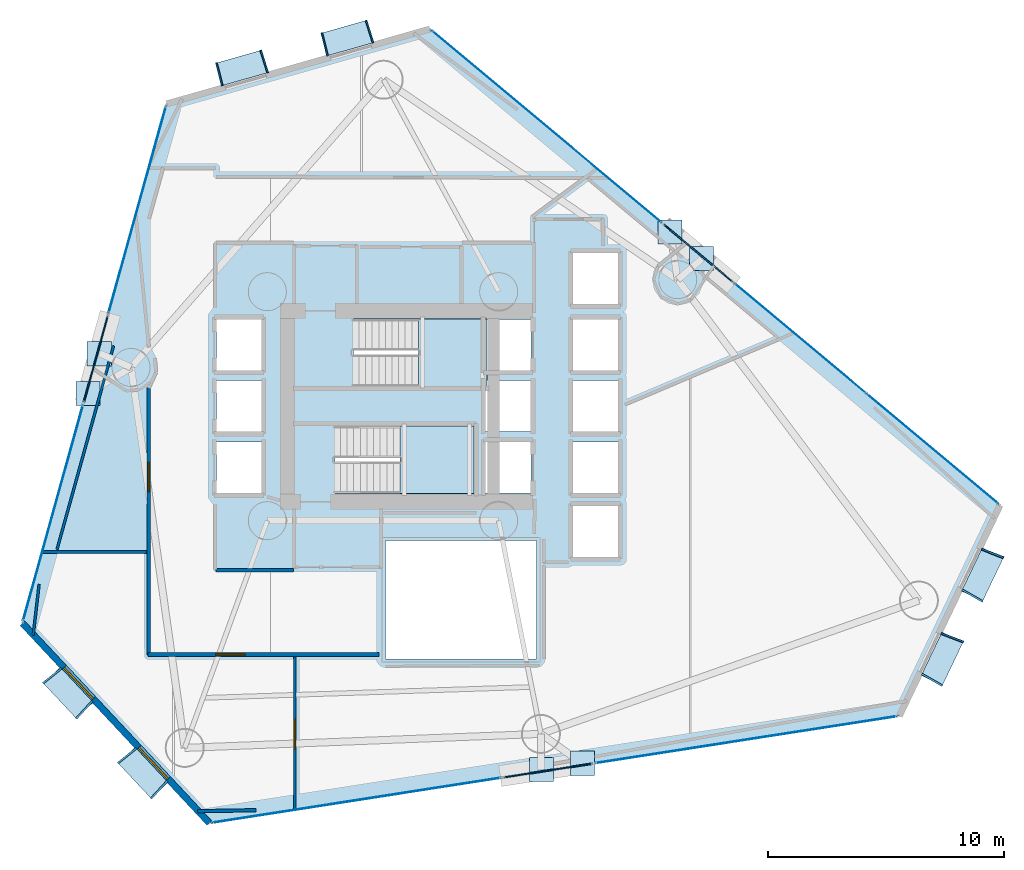
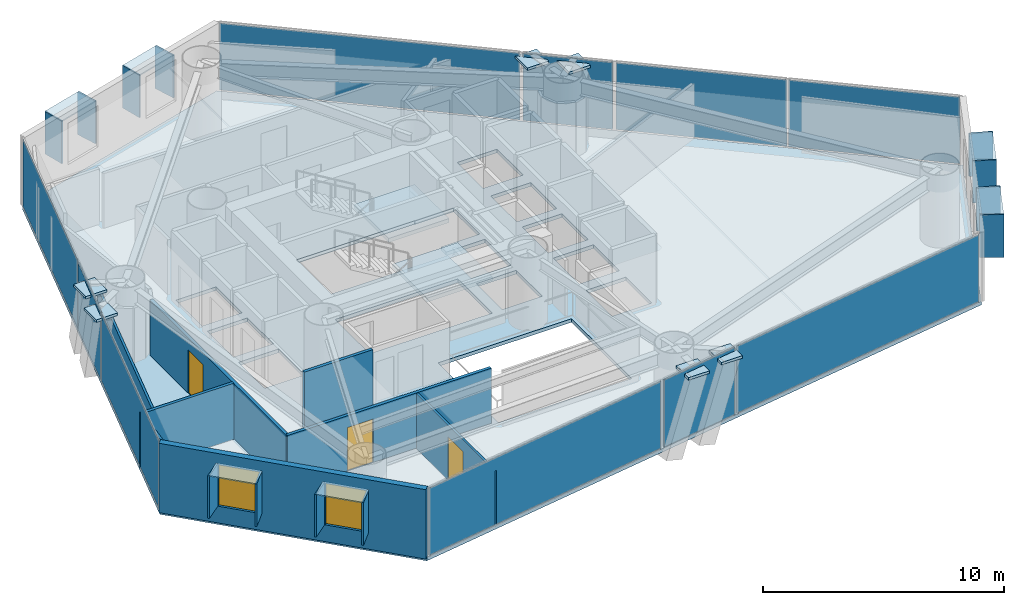
# One storey, part 16 of 23: 34 plates, 9 walls, 3 doors, 3 slabs, 2 windows, 5 openings, 11 elements without a shape of their own.
"""IFC4 building model written with IfcOpenShell, lengths in metres."""

import ifcopenshell
import ifcopenshell.guid

model = None  # the IFC model being written
_history = None  # IfcOwnerHistory: only IFC2X3 demands one
_inside = {}  # id of a spatial element -> (the spatial element, [elements in it])
_under = {}  # id of a project, library or spatial element -> (it, [spatial elements below it])
_declared = {}  # id of a project -> (the project, [libraries it declares])
_typed = {}  # id of a type object -> (the type object, [elements of that type])
_made_of = {}  # id of a material, layer set ... -> (it, [elements and type objects made of it])


def new_model(schema):
    """Start an empty IFC model of exactly this schema.

    Asked for "IFC4X3", IfcOpenShell would pick the latest addendum, in which some entities
    have other attributes; the version numbers below select the first issue.
    IFC2X3 requires an IfcOwnerHistory on every rooted entity: one is made here for all.
    """
    global model, _history
    if schema == "IFC4X3":
        model = ifcopenshell.file(schema_version=(4, 3, 0, 0))
    else:
        model = ifcopenshell.file(schema=schema)
    _inside.clear()
    _under.clear()
    _declared.clear()
    _typed.clear()
    _made_of.clear()
    _history = None
    if model.schema == "IFC2X3":
        org = make("IfcOrganization", Name="unknown")
        user = make(
            "IfcPersonAndOrganization",
            ThePerson=make("IfcPerson", FamilyName="unknown"),
            TheOrganization=org,
        )
        app = make(
            "IfcApplication",
            ApplicationDeveloper=org,
            Version="unknown",
            ApplicationFullName="unknown",
            ApplicationIdentifier="unknown",
        )
        _history = make(
            "IfcOwnerHistory",
            OwningUser=user,
            OwningApplication=app,
            ChangeAction="ADDED",
            CreationDate=0,
        )
    return model


def make(cls, **values):
    """One entity of the class cls with the attributes given. An attribute that is None is left unset."""
    return model.create_entity(
        cls, **{name: value for name, value in values.items() if value is not None}
    )


def rooted(cls, **values):
    """An entity with a GlobalId (a new one), such as an element, a storey or a relation."""
    return make(cls, GlobalId=ifcopenshell.guid.new(), OwnerHistory=_history, **values)


def si_unit(unit_type, name, prefix=None):
    """IfcSIUnit, for example si_unit("LENGTHUNIT", "METRE", prefix="MILLI")."""
    return make("IfcSIUnit", UnitType=unit_type, Prefix=prefix, Name=name)


def assignment(units):
    """IfcUnitAssignment: the units of a project."""
    return None if units is None else make("IfcUnitAssignment", Units=units)


def point(xyz):
    """IfcCartesianPoint."""
    return None if xyz is None else make("IfcCartesianPoint", Coordinates=xyz)


def direction(xyz):
    """IfcDirection."""
    return None if xyz is None else make("IfcDirection", DirectionRatios=xyz)


def frame(location, z_axis=None, x_axis=None):
    """IfcAxis2Placement3D, a coordinate frame: its origin and axes. An axis left out is left unset."""
    return make(
        "IfcAxis2Placement3D",
        Location=point(location),
        Axis=direction(z_axis),
        RefDirection=direction(x_axis),
    )


def frame_2d(location, x_axis=None):
    """IfcAxis2Placement2D, a coordinate frame in the plane: its origin and x axis."""
    return make(
        "IfcAxis2Placement2D", Location=point(location), RefDirection=direction(x_axis)
    )


def origin():
    """The frame at (0, 0, 0) with its axes left unset."""
    return frame((0.0, 0.0, 0.0))


def origin_2d():
    """The frame at (0, 0) in the plane with its x axis left unset."""
    return frame_2d((0.0, 0.0))


def place(relative_to, where):
    """IfcLocalPlacement: puts the frame where relative to a parent placement (None: the world)."""
    return make(
        "IfcLocalPlacement", PlacementRelTo=relative_to, RelativePlacement=where
    )


def context(
    kind, dimensions, precision=None, world=None, true_north=None, identifier=None
):
    """IfcGeometricRepresentationContext, for example the 3D "Model" context."""
    return make(
        "IfcGeometricRepresentationContext",
        ContextIdentifier=identifier,
        ContextType=kind,
        CoordinateSpaceDimension=dimensions,
        Precision=precision,
        WorldCoordinateSystem=world,
        TrueNorth=true_north,
    )


def subcontext(parent, identifier, kind, view, scale=None):
    """IfcGeometricRepresentationSubContext, for example "Body" below "Model"."""
    return make(
        "IfcGeometricRepresentationSubContext",
        ContextIdentifier=identifier,
        ContextType=kind,
        ParentContext=parent,
        TargetScale=scale,
        TargetView=view,
    )


def project(units=None, contexts=None):
    """IfcProject with its units and contexts."""
    return rooted(
        "IfcProject",
        Name="project",
        RepresentationContexts=contexts,
        UnitsInContext=assignment(units),
    )


def spatial(cls, under=None, at=None, **own):
    """A site, building, storey or space (cls), placed at a placement, below another one or the project."""
    s = rooted(cls, ObjectPlacement=at, **own)
    if under is not None:
        _under.setdefault(under.id(), (under, []))[1].append(s)
    return s


def polyline(points):
    """IfcPolyline through the points."""
    return make("IfcPolyline", Points=[point(p) for p in points])


def profile(cls, at=None, kind="AREA", **sizes):
    """A parametric profile (cls). Its sizes go by their IFC names, for example OverallWidth=200.0."""
    return make(cls, ProfileType=kind, Position=at, **sizes)


def rectangle(**sizes):
    """IfcRectangleProfileDef."""
    return profile("IfcRectangleProfileDef", **sizes)


def outline(outer, holes=None, kind="AREA"):
    """IfcArbitraryClosedProfileDef: a profile drawn as a closed curve; with holes, ...WithVoids."""
    if holes is None:
        return make("IfcArbitraryClosedProfileDef", ProfileType=kind, OuterCurve=outer)
    return make(
        "IfcArbitraryProfileDefWithVoids",
        ProfileType=kind,
        OuterCurve=outer,
        InnerCurves=holes,
    )


def extrude(swept, where, along, depth):
    """IfcExtrudedAreaSolid: the profile swept, set in the frame where, extruded along a direction by depth."""
    return make(
        "IfcExtrudedAreaSolid",
        SweptArea=swept,
        Position=where,
        ExtrudedDirection=direction(along),
        Depth=depth,
    )


def shape(context_of_items, identifier, shape_type, items):
    """IfcShapeRepresentation: the items that make up one representation, for example the "Body"."""
    return make(
        "IfcShapeRepresentation",
        ContextOfItems=context_of_items,
        RepresentationIdentifier=identifier,
        RepresentationType=shape_type,
        Items=items,
    )


def material(Name=None, Category=None):
    """IfcMaterial."""
    return make("IfcMaterial", Name=Name, Category=Category)


def layer(
    of_material, thickness, ventilated=None, Name=None, Category=None, Priority=None
):
    """IfcMaterialLayer: one layer of a wall or slab, of a material (None: an air gap)."""
    return make(
        "IfcMaterialLayer",
        Material=of_material,
        LayerThickness=thickness,
        IsVentilated=ventilated,
        Name=Name,
        Category=Category,
        Priority=Priority,
    )


def layer_set(layers, Name=None):
    """IfcMaterialLayerSet."""
    return make("IfcMaterialLayerSet", MaterialLayers=layers, LayerSetName=Name)


def made_of(thing, what):
    """Note that an element or type object is made of a material, layer set ...; save() writes the relation."""
    if what is not None:
        _made_of.setdefault(what.id(), (what, []))[1].append(thing)
    return thing


def type_object(cls, material=None, **own):
    """A type object (cls), such as IfcWallType, which elements share."""
    return made_of(rooted(cls, **own), material)


def element(
    cls,
    number,
    at=None,
    inside=None,
    cuts=None,
    type_object=None,
    material=None,
    context=None,
    identifier="Body",
    shape_type=None,
    held_by="IfcProductDefinitionShape",
    body=None,
    shapes=None,
    **own,
):
    """One element of the class cls, such as IfcWall. Its Tag is "e" and its number.

    at: its placement. inside: the storey or other place that contains it. cuts: it is an
    opening in that element (IfcRelVoidsElement). A single representation is given by context,
    identifier, shape_type and body (its items); several are given by shapes. held_by: the class
    of the entity that holds the representations. save() writes the other relations.
    """
    e = rooted(cls, Tag="e%d" % number, ObjectPlacement=at, **own)
    if body is not None:
        shapes = [shape(context, identifier, shape_type, body)]
    if shapes is not None:
        e.Representation = make(held_by, Representations=shapes)
    if inside is not None:
        _inside.setdefault(inside.id(), (inside, []))[1].append(e)
    if cuts is not None:
        rooted(
            "IfcRelVoidsElement", RelatingBuildingElement=cuts, RelatedOpeningElement=e
        )
    if type_object is not None:
        _typed.setdefault(type_object.id(), (type_object, []))[1].append(e)
    return made_of(e, material)


def fill(opening, filler):
    """IfcRelFillsElement: the door or window that sits in an opening."""
    return rooted(
        "IfcRelFillsElement",
        RelatingOpeningElement=opening,
        RelatedBuildingElement=filler,
    )


def aggregate(whole, parts):
    """IfcRelAggregates: a whole, such as a stair, and the parts it consists of."""
    return rooted("IfcRelAggregates", RelatingObject=whole, RelatedObjects=parts)


def save(model, path):
    """Write the relations noted so far, then the file.

    IfcRelAggregates (storeys below a building ...), IfcRelContainedInSpatialStructure (elements
    in a storey), IfcRelDefinesByType, IfcRelAssociatesMaterial and IfcRelDeclares: one each for
    every whole, place, type object, material and project.
    """
    for whole, parts in _under.values():
        aggregate(whole, parts)
    for where, things in _inside.values():
        rooted(
            "IfcRelContainedInSpatialStructure",
            RelatedElements=things,
            RelatingStructure=where,
        )
    for kind, things in _typed.values():
        rooted("IfcRelDefinesByType", RelatedObjects=things, RelatingType=kind)
    for what, things in _made_of.values():
        rooted("IfcRelAssociatesMaterial", RelatedObjects=things, RelatingMaterial=what)
    for by, libraries in _declared.values():
        rooted("IfcRelDeclares", RelatingContext=by, RelatedDefinitions=libraries)
    model.write(path)


model = new_model("IFC4")

# Units and contexts
model_context = context("Model", 3, precision=1e-05, world=origin(), true_north=direction((0.0, 1.0)))
body_context = subcontext(model_context, "Body", "Model", "MODEL_VIEW")
ifc_project = project(units=[si_unit("LENGTHUNIT", "METRE"), si_unit("AREAUNIT", "SQUARE_METRE"), si_unit("VOLUMEUNIT", "CUBIC_METRE"), si_unit("PLANEANGLEUNIT", "RADIAN"), si_unit("MASSUNIT", "GRAM", prefix="KILO")], contexts=[model_context])

# Site, building, storey
site_placement = place(None, origin())
site = spatial("IfcSite", under=ifc_project, at=site_placement, CompositionType="ELEMENT")
building_placement = place(site_placement, origin())
building = spatial("IfcBuilding", under=site, at=building_placement, Name="Qianvela Tower", CompositionType="ELEMENT")
storey_placement = place(building_placement, frame((0.0, 0.0, 78.39990234375)))
storey = spatial("IfcBuildingStorey", under=building, at=storey_placement, Name="L19", CompositionType="ELEMENT", Elevation=78.39990234375)

# Curtain wall, plate
ifc_material_1 = material(Name="Anodised Architectural Aluminium and Insulated Spandrel Panel", Category="aluminium")
ifc_layer_1 = layer(ifc_material_1, 0.179931640625)
ifc_layer_set_1 = layer_set([ifc_layer_1], Name="Anodised Architectural Aluminium and Insulated Spandrel Panel")
curtain_wall_type_1 = type_object("IfcCurtainWallType", Name="CW-BRACEBAY", PredefinedType="USERDEFINED", material=ifc_layer_set_1)
curtain_wall_1_placement = place(storey_placement, origin())
curtain_wall_1 = element("IfcCurtainWall", 1, at=curtain_wall_1_placement, inside=storey, type_object=curtain_wall_type_1, Name="L19 CW-BRACEBAY Curtain Wall 02B", ObjectType="CURTAIN_WALL_SYSTEM", PredefinedType="USERDEFINED")
ifc_material_2 = material(Name="Insulated Aluminium Spandrel Panel with Mineral-Wool Backpan", Category="aluminium")
ifc_layer_2 = layer(ifc_material_2, 0.06005859375)
ifc_layer_set_2 = layer_set([ifc_layer_2], Name="Insulated Aluminium Spandrel Panel with Mineral-Wool Backpan")
plate_type_1 = type_object("IfcPlateType", Name="CW-BRACEBAY-PNL", PredefinedType="CURTAIN_PANEL", material=ifc_layer_set_2)
plate_1_placement = place(storey_placement, frame((46.852783203125, 35.180419921875, 0.06494140625), z_axis=(0.0, 0.0, 1.0), x_axis=(-0.767474451396, 0.641079532081, 0.0)))
plate_1 = element("IfcPlate", 2, at=plate_1_placement, type_object=plate_type_1, Name="CW-9 panel 1.1", PredefinedType="CURTAIN_PANEL", context=body_context, shape_type="SweptSolid", body=[
    extrude(rectangle(XDim=3.780029296875, YDim=0.06005859375, at=origin_2d()), origin(), (0.0, 0.0, 1.0), 3.389892578125),
])
aggregate(curtain_wall_1, [plate_1])

curtain_wall_2_placement = place(storey_placement, origin())
curtain_wall_2 = element("IfcCurtainWall", 3, at=curtain_wall_2_placement, inside=storey, type_object=curtain_wall_type_1, Name="L19 CW-BRACEBAY Curtain Wall 04B", ObjectType="CURTAIN_WALL_SYSTEM", PredefinedType="USERDEFINED")
plate_2_placement = place(storey_placement, frame((21.333740234375, 30.697509765625, 0.06494140625), z_axis=(0.0, 0.0, 1.0), x_axis=(-0.267572632248, -0.963537693332, 0.0)))
plate_2 = element("IfcPlate", 4, at=plate_2_placement, type_object=plate_type_1, Name="CW-9 panel 1.1", PredefinedType="CURTAIN_PANEL", context=body_context, shape_type="SweptSolid", body=[
    extrude(rectangle(XDim=3.780029296875, YDim=0.06005859375, at=origin_2d()), origin(), (0.0, 0.0, 1.0), 3.389892578125),
])
aggregate(curtain_wall_2, [plate_2])

curtain_wall_3_placement = place(storey_placement, origin())
curtain_wall_3 = element("IfcCurtainWall", 5, at=curtain_wall_3_placement, inside=storey, type_object=curtain_wall_type_1, Name="L19 CW-BRACEBAY Curtain Wall 06B", ObjectType="CURTAIN_WALL_SYSTEM", PredefinedType="USERDEFINED")
plate_3_placement = place(storey_placement, frame((40.490234375, 13.2666015625, 0.06494140625), z_axis=(0.0, 0.0, 1.0), x_axis=(0.988140539727, 0.153552185748, 0.0)))
plate_3 = element("IfcPlate", 6, at=plate_3_placement, type_object=plate_type_1, Name="CW-9 panel 1.1", PredefinedType="CURTAIN_PANEL", context=body_context, shape_type="SweptSolid", body=[
    extrude(rectangle(XDim=3.780029296875, YDim=0.06005859375, at=origin_2d()), origin(), (0.0, 0.0, 1.0), 3.389892578125),
])
aggregate(curtain_wall_3, [plate_3])

# Curtain wall, plates
ifc_material_3 = material(Name="Anodised Architectural Aluminium and Low-E Glass", Category="aluminium")
ifc_layer_3 = layer(ifc_material_3, 0.179931640625)
ifc_layer_set_3 = layer_set([ifc_layer_3], Name="Anodised Architectural Aluminium and Low-E Glass")
curtain_wall_type_2 = type_object("IfcCurtainWallType", Name="CW-COLIV-Z12", PredefinedType="USERDEFINED", material=ifc_layer_set_3)
curtain_wall_4_placement = place(storey_placement, origin())
curtain_wall_4 = element("IfcCurtainWall", 7, at=curtain_wall_4_placement, inside=storey, type_object=curtain_wall_type_2, Name="L19 CW-COLIV-Z12 Curtain Wall 02A", ObjectType="CURTAIN_WALL_SYSTEM", PredefinedType="USERDEFINED")
ifc_material_4 = material(Name="Double-Silver Low-E Insulated Glass", Category="glass")
ifc_layer_4 = layer(ifc_material_4, 0.030029296875)
ifc_layer_set_4 = layer_set([ifc_layer_4], Name="Double-Silver Low-E Insulated Glass")
plate_type_2 = type_object("IfcPlateType", Name="CW-COLIV-Z12-PNL", PredefinedType="CURTAIN_PANEL", material=ifc_layer_set_4)
plate_4_placement = place(storey_placement, frame((56.772216796875, 26.89453125, 0.06494140625), z_axis=(0.0, 0.0, 1.0), x_axis=(-0.767468776209, 0.641086326125, 0.0)))
plate_4 = element("IfcPlate", 8, at=plate_4_placement, type_object=plate_type_2, Name="CW-3 panel 1.1", PredefinedType="CURTAIN_PANEL", context=body_context, shape_type="SweptSolid", body=[
    extrude(rectangle(XDim=7.219970703125, YDim=0.030029296875, at=origin_2d()), origin(), (0.0, 0.0, 1.0), 3.389892578125),
])
plate_5_placement = place(storey_placement, frame((51.177490234375, 31.568115234375, 0.06494140625), z_axis=(0.0, 0.0, 1.0), x_axis=(-0.767468776209, 0.641086326125, 0.0)))
plate_5 = element("IfcPlate", 9, at=plate_5_placement, type_object=plate_type_2, Name="CW-3 panel 2.1", PredefinedType="CURTAIN_PANEL", context=body_context, shape_type="SweptSolid", body=[
    extrude(rectangle(XDim=7.219970703125, YDim=0.030029296875, at=origin_2d()), origin(), (0.0, 0.0, 1.0), 3.389892578125),
])
aggregate(curtain_wall_4, [plate_4, plate_5])

# Curtain wall, plate
curtain_wall_5_placement = place(storey_placement, origin())
curtain_wall_5 = element("IfcCurtainWall", 10, at=curtain_wall_5_placement, inside=storey, type_object=curtain_wall_type_2, Name="L19 CW-COLIV-Z12 Curtain Wall 02C", ObjectType="CURTAIN_WALL_SYSTEM", PredefinedType="USERDEFINED")
plate_6_placement = place(storey_placement, frame((40.439453125, 40.53759765625, 0.06494140625), z_axis=(0.0, 0.0, 1.0), x_axis=(-0.767467195874, 0.641088218, 0.0)))
plate_6 = element("IfcPlate", 11, at=plate_6_placement, type_object=plate_type_2, Name="CW-3 panel 1.1", PredefinedType="CURTAIN_PANEL", context=body_context, shape_type="SweptSolid", body=[
    extrude(rectangle(XDim=12.662841796875, YDim=0.030029296875, at=origin_2d()), origin(), (0.0, 0.0, 1.0), 3.389892578125),
])
aggregate(curtain_wall_5, [plate_6])

curtain_wall_6_placement = place(storey_placement, origin())
curtain_wall_6 = element("IfcCurtainWall", 12, at=curtain_wall_6_placement, inside=storey, type_object=curtain_wall_type_2, Name="L19 CW-COLIV-Z12 Curtain Wall 04A", ObjectType="CURTAIN_WALL_SYSTEM", PredefinedType="USERDEFINED")
plate_7_placement = place(storey_placement, frame((23.0888671875, 37.018310546875, 0.06494140625), z_axis=(0.0, 0.0, 1.0), x_axis=(-0.267567703092, -0.963539062136, 0.0)))
plate_7 = element("IfcPlate", 13, at=plate_7_placement, type_object=plate_type_2, Name="CW-3 panel 1.1", PredefinedType="CURTAIN_PANEL", context=body_context, shape_type="SweptSolid", body=[
    extrude(rectangle(XDim=9.070068359375, YDim=0.030029296875, at=origin_2d()), origin(), (0.0, 0.0, 1.0), 3.389892578125),
])
aggregate(curtain_wall_6, [plate_7])

curtain_wall_7_placement = place(storey_placement, origin())
curtain_wall_7 = element("IfcCurtainWall", 14, at=curtain_wall_7_placement, inside=storey, type_object=curtain_wall_type_2, Name="L19 CW-COLIV-Z12 Curtain Wall 04C", ObjectType="CURTAIN_WALL_SYSTEM", PredefinedType="USERDEFINED")
plate_8_placement = place(storey_placement, frame((19.52490234375, 24.18359375, 0.06494140625), z_axis=(0.0, 0.0, 1.0), x_axis=(-0.2675730261, -0.96353758396, 0.0)))
plate_8 = element("IfcPlate", 15, at=plate_8_placement, type_object=plate_type_2, Name="CW-3 panel 1.1", PredefinedType="CURTAIN_PANEL", context=body_context, shape_type="SweptSolid", body=[
    extrude(rectangle(XDim=9.470947265625, YDim=0.030029296875, at=origin_2d()), origin(), (0.0, 0.0, 1.0), 3.389892578125),
])
aggregate(curtain_wall_7, [plate_8])

curtain_wall_8_placement = place(storey_placement, origin())
curtain_wall_8 = element("IfcCurtainWall", 16, at=curtain_wall_8_placement, inside=storey, type_object=curtain_wall_type_2, Name="L19 CW-COLIV-Z12 Curtain Wall 06A", ObjectType="CURTAIN_WALL_SYSTEM", PredefinedType="USERDEFINED")
plate_9_placement = place(storey_placement, frame((32.377685546875, 12.005859375, 0.06494140625), z_axis=(0.0, 0.0, 1.0), x_axis=(0.988140926816, 0.153549694725, 0.0)))
plate_9 = element("IfcPlate", 17, at=plate_9_placement, type_object=plate_type_2, Name="CW-3 panel 1.1", PredefinedType="CURTAIN_PANEL", context=body_context, shape_type="SweptSolid", body=[
    extrude(rectangle(XDim=12.369873046875, YDim=0.030029296875, at=origin_2d()), origin(), (0.0, 0.0, 1.0), 3.389892578125),
])
aggregate(curtain_wall_8, [plate_9])

curtain_wall_9_placement = place(storey_placement, origin())
curtain_wall_9 = element("IfcCurtainWall", 18, at=curtain_wall_9_placement, inside=storey, type_object=curtain_wall_type_2, Name="L19 CW-COLIV-Z12 Curtain Wall 06C", ObjectType="CURTAIN_WALL_SYSTEM", PredefinedType="USERDEFINED")
plate_10_placement = place(storey_placement, frame((48.871337890625, 14.56884765625, 0.06494140625), z_axis=(0.0, 0.0, 1.0), x_axis=(0.988139754603, 0.153557238103, 0.0)))
plate_10 = element("IfcPlate", 19, at=plate_10_placement, type_object=plate_type_2, Name="CW-3 panel 1.1", PredefinedType="CURTAIN_PANEL", context=body_context, shape_type="SweptSolid", body=[
    extrude(rectangle(XDim=12.9130859375, YDim=0.030029296875, at=origin_2d()), origin(), (0.0, 0.0, 1.0), 3.389892578125),
])
aggregate(curtain_wall_9, [plate_10])

# Plates
ifc_material_5 = material(Name="Steel Q420GJC", Category="steel")
ifc_layer_5 = layer(ifc_material_5, 0.1298828125)
ifc_layer_set_5 = layer_set([ifc_layer_5], Name="Steel Q420GJC")
plate_type_3 = type_object("IfcPlateType", Name="PT-ENDCAP-130", PredefinedType="USERDEFINED", material=ifc_layer_set_5)
for number, where, z_axis, x_axis, name in (
    (20, (46.995849609375, 34.956787109375, 3.15966796875), (0.0, 0.0, 1.0), (1.0, 0.0, 0.0), "L19 Hollow Section End Cap Plate B"),
    (21, (45.650634765625, 36.080322265625, 3.15966796875), (0.0, 0.0, 1.0), (1.0, 0.0, 0.0), "L19 Hollow Section End Cap Plate B"),
    (22, (21.47900390625, 30.922119140625, 3.15966796875), (0.0, 0.0, 1.0), (1.0, 0.0, 0.0), "L19 Hollow Section End Cap Plate B"),
    (23, (21.010009765625, 29.2333984375, 3.15966796875), (0.0, 0.0, 1.0), (1.0, 0.0, 0.0), "L19 Hollow Section End Cap Plate B"),
    (24, (40.22216796875, 13.305908203125, 3.15966796875), (0.0, 0.0, 1.0), (1.0, 0.0, 0.0), "L19 Hollow Section End Cap Plate B"),
    (25, (41.9541015625, 13.574951171875, 3.15966796875), (0.0, 0.0, 1.0), (1.0, 0.0, 0.0), "L19 Hollow Section End Cap Plate B"),
):
    element("IfcPlate", number, at=place(storey_placement, frame(where, z_axis=z_axis, x_axis=x_axis)), inside=storey, type_object=plate_type_3, Name=name, ObjectType="END_CAP", PredefinedType="USERDEFINED", context=body_context, shape_type="SweptSolid", body=[
        extrude(rectangle(XDim=1.02001953125, YDim=1.02001953125, at=origin_2d()), origin(), (0.0, 0.0, 1.0), 0.1298828125),
    ])

# Slab
ifc_material_6 = material(Name="Concrete C40", Category="concrete")
ifc_layer_6 = layer(ifc_material_6, 0.179931640625)
ifc_layer_set_6 = layer_set([ifc_layer_6], Name="Concrete C40")
slab_type_1 = type_object("IfcSlabType", Name="SL-FLOOR-180", PredefinedType="FLOOR", material=ifc_layer_set_6)
slab_1_placement = place(storey_placement, frame((0.0, 0.0, -0.179931640625)))
element("IfcSlab", 26, at=slab_1_placement, inside=storey, type_object=slab_type_1, Name="L19 Composite Structural Floor Slab", PredefinedType="FLOOR", context=body_context, shape_type="SweptSolid", body=[
    extrude(outline(polyline([(55.369873046875, 15.578857421875), (59.635009765625, 24.503173828125), (35.48828125, 44.673583984375), (24.33447265625, 41.50341796875), (18.2255859375, 19.505126953125), (26.1474609375, 11.03759765625), (55.369873046875, 15.578857421875)]), holes=[polyline([(40.0, 23.0), (33.60009765625, 23.0), (33.60009765625, 18.0), (40.0, 18.0), (40.0, 23.0)]), polyline([(28.360107421875, 25.02001953125), (28.360107421875, 27.179931640625), (26.43994140625, 27.179931640625), (26.43994140625, 25.02001953125), (28.360107421875, 25.02001953125)]), polyline([(37.35009765625, 25.0), (37.35009765625, 27.860107421875), (31.469970703125, 27.860107421875), (31.469970703125, 25.0), (37.35009765625, 25.0)]), polyline([(28.360107421875, 27.6201171875), (28.360107421875, 29.780029296875), (26.43994140625, 29.780029296875), (26.43994140625, 27.6201171875), (28.360107421875, 27.6201171875)]), polyline([(37.89990234375, 32.3798828125), (37.89990234375, 32.39990234375), (32.25, 32.39990234375), (32.25, 29.5400390625), (37.840087890625, 29.5400390625), (37.840087890625, 27.6201171875), (39.760009765625, 27.6201171875), (39.760009765625, 29.780029296875), (37.89990234375, 29.780029296875), (37.89990234375, 30.219970703125), (39.760009765625, 30.219970703125), (39.760009765625, 32.3798828125), (37.89990234375, 32.3798828125)]), polyline([(28.360107421875, 30.219970703125), (28.360107421875, 32.3798828125), (26.43994140625, 32.3798828125), (26.43994140625, 30.219970703125), (28.360107421875, 30.219970703125)]), polyline([(43.4599609375, 24.47998046875), (41.5400390625, 24.47998046875), (41.5400390625, 22.320068359375), (43.4599609375, 22.320068359375), (43.4599609375, 24.47998046875)]), polyline([(39.760009765625, 25.02001953125), (39.760009765625, 27.179931640625), (37.840087890625, 27.179931640625), (37.840087890625, 25.02001953125), (39.760009765625, 25.02001953125)]), polyline([(43.4599609375, 25.02001953125), (43.4599609375, 27.179931640625), (41.5400390625, 27.179931640625), (41.5400390625, 25.02001953125), (43.4599609375, 25.02001953125)]), polyline([(43.4599609375, 27.6201171875), (43.4599609375, 29.780029296875), (41.5400390625, 29.780029296875), (41.5400390625, 27.6201171875), (43.4599609375, 27.6201171875)]), polyline([(43.4599609375, 30.219970703125), (43.4599609375, 32.3798828125), (41.5400390625, 32.3798828125), (41.5400390625, 30.219970703125), (43.4599609375, 30.219970703125)]), polyline([(43.4599609375, 33.02001953125), (43.4599609375, 35.179931640625), (41.5400390625, 35.179931640625), (41.5400390625, 33.02001953125), (43.4599609375, 33.02001953125)])]), origin(), (0.0, 0.0, 1.0), 0.179931640625),
])

# Stair, slab
ifc_material_7 = material(Name="Concrete C40", Category="concrete")
stair_type = type_object("IfcStairType", Name="ST-DOGLEG-1350-R168-N22", PredefinedType="HALF_TURN_STAIR", material=ifc_material_7)
stair_1_placement = place(storey_placement, origin())
stair_1 = element("IfcStair", 27, at=stair_1_placement, inside=storey, type_object=stair_type, Name="L19 Smoke-Proof Core Stair ST-1", PredefinedType="HALF_TURN_STAIR")
ifc_material_8 = material(Name="Concrete C40", Category="concrete")
ifc_layer_7 = layer(ifc_material_8, 0.199951171875)
ifc_layer_set_7 = layer_set([ifc_layer_7], Name="Concrete C40")
slab_type_2 = type_object("IfcSlabType", Name="SL-STAIR-LANDING-200", PredefinedType="LANDING", material=ifc_layer_set_7)
slab_2_placement = place(storey_placement, frame((0.0, 0.0, 1.650146484375)))
slab_2 = element("IfcSlab", 28, at=slab_2_placement, type_object=slab_type_2, Name="ST-1 landing 1", PredefinedType="LANDING", context=body_context, shape_type="SweptSolid", body=[
    extrude(outline(polyline([(35.0, 29.5400390625), (37.89990234375, 29.5400390625), (37.89990234375, 32.39990234375), (35.0, 32.39990234375), (35.0, 29.5400390625)])), origin(), (0.0, 0.0, 1.0), 0.199951171875),
])
aggregate(stair_1, [slab_2])

stair_2_placement = place(storey_placement, origin())
stair_2 = element("IfcStair", 29, at=stair_2_placement, inside=storey, type_object=stair_type, Name="L19 Smoke-Proof Core Stair ST-2", PredefinedType="HALF_TURN_STAIR")
slab_3_placement = place(storey_placement, frame((0.0, 0.0, 1.650146484375)))
slab_3 = element("IfcSlab", 30, at=slab_3_placement, type_object=slab_type_2, Name="ST-2 landing 1", PredefinedType="LANDING", context=body_context, shape_type="SweptSolid", body=[
    extrude(outline(polyline([(34.219970703125, 25.0), (37.35009765625, 25.0), (37.35009765625, 27.860107421875), (34.219970703125, 27.860107421875), (34.219970703125, 25.0)])), origin(), (0.0, 0.0, 1.0), 0.199951171875),
])
aggregate(stair_2, [slab_3])

# Plates
ifc_material_9 = material(Name="Vitrified Architectural Terracotta Panel", Category="masonry")
ifc_layer_8 = layer(ifc_material_9, 0.06494140625)
ifc_layer_set_8 = layer_set([ifc_layer_8], Name="Vitrified Architectural Terracotta Panel")
plate_type_4 = type_object("IfcPlateType", Name="TERRACOTTA-SUNSHADE-HOOD-FOLD-B", PredefinedType="USERDEFINED", material=ifc_layer_set_8)
for number, where, z_axis, x_axis, name in (
    (31, (31.9794921875, 44.294921875, 2.9599609375), (0.0, 0.0, 1.0), (-0.961902756568, -0.273391819384, 0.0), "L19 Terracotta Sunshade Hood FOLD-B"),
    (32, (27.517822265625, 43.02685546875, 2.9599609375), (0.0, 0.0, 1.0), (-0.961902756568, -0.273391819384, 0.0), "L19 Terracotta Sunshade Hood FOLD-B"),
):
    element("IfcPlate", number, at=place(storey_placement, frame(where, z_axis=z_axis, x_axis=x_axis)), inside=storey, type_object=plate_type_4, Name=name, ObjectType="SUNSHADE", PredefinedType="USERDEFINED", context=body_context, shape_type="SweptSolid", body=[
        extrude(rectangle(XDim=2.0400390625, YDim=0.989990234375, at=origin_2d()), origin(), (0.0, 0.0, 1.0), 0.06005859375),
    ])
ifc_material_10 = material(Name="Vitrified Architectural Terracotta Panel", Category="masonry")
ifc_layer_9 = layer(ifc_material_10, 0.074951171875)
ifc_layer_set_9 = layer_set([ifc_layer_9], Name="Vitrified Architectural Terracotta Panel")
plate_type_5 = type_object("IfcPlateType", Name="TERRACOTTA-SUNSHADE-HOOD-FOLD-D", PredefinedType="USERDEFINED", material=ifc_layer_set_9)
for number, where, z_axis, x_axis, name in (
    (33, (57.186279296875, 17.99951171875, 2.9599609375), (0.0, 0.0, 1.0), (0.431193082386, 0.902259677533, 0.0), "L19 Terracotta Sunshade Hood FOLD-D"),
    (34, (58.89208984375, 21.5693359375, 2.9599609375), (0.0, 0.0, 1.0), (0.431193082386, 0.902259677533, 0.0), "L19 Terracotta Sunshade Hood FOLD-D"),
    (35, (20.167724609375, 16.558349609375, 2.9599609375), (0.0, 0.0, 1.0), (0.683193484015, -0.730237402082, 0.0), "L19 Terracotta Sunshade Hood FOLD-D"),
    (36, (23.33642578125, 13.17138671875, 2.9599609375), (0.0, 0.0, 1.0), (0.683193484015, -0.730237402082, 0.0), "L19 Terracotta Sunshade Hood FOLD-D"),
):
    element("IfcPlate", number, at=place(storey_placement, frame(where, z_axis=z_axis, x_axis=x_axis)), inside=storey, type_object=plate_type_5, Name=name, ObjectType="SUNSHADE", PredefinedType="USERDEFINED", context=body_context, shape_type="SweptSolid", body=[
        extrude(rectangle(XDim=2.0400390625, YDim=0.989990234375, at=origin_2d()), origin(), (0.0, 0.0, 1.0), 0.06005859375),
    ])
ifc_material_11 = material(Name="Vitrified Architectural Terracotta Side Fin Panel", Category="masonry")
ifc_layer_10 = layer(ifc_material_11, 0.070068359375)
ifc_layer_set_10 = layer_set([ifc_layer_10], Name="Vitrified Architectural Terracotta Side Fin Panel")
plate_type_6 = type_object("IfcPlateType", Name="TERRACOTTA-SUNSHADE-STRUT-FOLD-B", PredefinedType="USERDEFINED", material=ifc_layer_set_10)
for number, where, z_axis, x_axis, name in (
    (37, (32.931640625, 44.565673828125, 0.85009765625), (0.0, 0.0, 1.0), (-0.953105136621, -0.302639386973, 0.0), "L19 Terracotta Sunshade Side Fin HL FOLD-B"),
    (38, (31.027099609375, 44.024169921875, 0.85009765625), (0.0, 0.0, 1.0), (-0.969803095996, -0.243889226896, 0.0), "L19 Terracotta Sunshade Side Fin HR FOLD-B"),
    (39, (28.47021484375, 43.297607421875, 0.85009765625), (0.0, 0.0, 1.0), (-0.953105136621, -0.302639386973, 0.0), "L19 Terracotta Sunshade Side Fin HL FOLD-B"),
    (40, (26.565673828125, 42.756103515625, 0.85009765625), (0.0, 0.0, 1.0), (-0.969803095996, -0.243889226896, 0.0), "L19 Terracotta Sunshade Side Fin HR FOLD-B"),
):
    element("IfcPlate", number, at=place(storey_placement, frame(where, z_axis=z_axis, x_axis=x_axis)), inside=storey, type_object=plate_type_6, Name=name, ObjectType="SUNSHADE", PredefinedType="USERDEFINED", context=body_context, shape_type="SweptSolid", body=[
        extrude(rectangle(XDim=0.070068359375, YDim=1.010009765625, at=origin_2d()), origin(), (0.0, 0.0, 1.0), 2.159912109375),
    ])
ifc_material_12 = material(Name="Vitrified Architectural Terracotta Side Fin Panel", Category="masonry")
ifc_layer_11 = layer(ifc_material_12, 0.080078125)
ifc_layer_set_11 = layer_set([ifc_layer_11], Name="Vitrified Architectural Terracotta Side Fin Panel")
plate_type_7 = type_object("IfcPlateType", Name="TERRACOTTA-SUNSHADE-STRUT-FOLD-D", PredefinedType="USERDEFINED", material=ifc_layer_set_11)
for number, where, z_axis, x_axis, name in (
    (41, (56.759521484375, 17.106201171875, 0.85009765625), (0.0, 0.0, 1.0), (0.496872483689, 0.86782356211, 0.0), "L19 Terracotta Sunshade Side Fin HL FOLD-D"),
    (42, (57.613037109375, 18.892822265625, 0.85009765625), (0.0, 0.0, 1.0), (0.363142278757, 0.931733698746, 0.0), "L19 Terracotta Sunshade Side Fin HR FOLD-D"),
    (43, (58.46533203125, 20.676025390625, 0.85009765625), (0.0, 0.0, 1.0), (0.496872483689, 0.86782356211, 0.0), "L19 Terracotta Sunshade Side Fin HL FOLD-D"),
    (44, (59.319091796875, 22.462646484375, 0.85009765625), (0.0, 0.0, 1.0), (0.363142278757, 0.931733698746, 0.0), "L19 Terracotta Sunshade Side Fin HR FOLD-D"),
    (45, (19.4912109375, 17.28125, 0.85009765625), (0.0, 0.0, 1.0), (0.62719803704, -0.778859822005, 0.0), "L19 Terracotta Sunshade Side Fin HL FOLD-D"),
    (46, (20.843994140625, 15.83544921875, 0.85009765625), (0.0, 0.0, 1.0), (0.735431619745, -0.677598946781, 0.0), "L19 Terracotta Sunshade Side Fin HR FOLD-D"),
    (47, (22.66015625, 13.894287109375, 0.85009765625), (0.0, 0.0, 1.0), (0.62719803704, -0.778859822005, 0.0), "L19 Terracotta Sunshade Side Fin HL FOLD-D"),
    (48, (24.0126953125, 12.448486328125, 0.85009765625), (0.0, 0.0, 1.0), (0.735431619745, -0.677598946781, 0.0), "L19 Terracotta Sunshade Side Fin HR FOLD-D"),
):
    element("IfcPlate", number, at=place(storey_placement, frame(where, z_axis=z_axis, x_axis=x_axis)), inside=storey, type_object=plate_type_7, Name=name, ObjectType="SUNSHADE", PredefinedType="USERDEFINED", context=body_context, shape_type="SweptSolid", body=[
        extrude(rectangle(XDim=0.080078125, YDim=1.010009765625, at=origin_2d()), origin(), (0.0, 0.0, 1.0), 2.159912109375),
    ])

# Wall, openings, windows
ifc_material_13 = material(Name="Terracotta Cladding on Concrete C40", Category="masonry")
ifc_layer_12 = layer(ifc_material_13, 0.280029296875)
ifc_layer_set_12 = layer_set([ifc_layer_12], Name="Terracotta Cladding on Concrete C40")
wall_type_1 = type_object("IfcWallType", Name="TERRACOTTA-WALL-280", PredefinedType="SOLIDWALL", material=ifc_layer_set_12)
wall_1_placement = place(storey_placement, frame((18.2255859375, 19.505126953125, 0.0), z_axis=(0.0, 0.0, 1.0), x_axis=(0.683186467085, -0.730243966898, 0.0)))
wall_1 = element("IfcWall", 49, at=wall_1_placement, inside=storey, type_object=wall_type_1, Name="L19 Terracotta Chamfer Facet Wall 5", PredefinedType="SOLIDWALL", context=body_context, shape_type="SweptSolid", body=[
    extrude(rectangle(XDim=11.595458984375, YDim=0.280029296875, at=frame_2d((5.7978515625, 0.0))), origin(), (0.0, 0.0, 1.0), 3.52001953125),
])
opening_1_placement = place(wall_1_placement, frame((2.57861328125, 0.0, 0.85009765625)))
opening_1 = element("IfcOpeningElement", 50, at=opening_1_placement, cuts=wall_1, Name="Opening W-01", PredefinedType="OPENING", context=body_context, shape_type="SweptSolid", body=[
    extrude(rectangle(XDim=1.800048828125, YDim=2.10009765625, at=frame_2d((0.89990234375, 1.050048828125))), frame((0.0, 0.14990234375, 0.0), z_axis=(0.0, -1.0, 0.0), x_axis=(1.0, 0.0, 0.0)), (0.0, 0.0, 1.0), 0.300048828125),
])
opening_2_placement = place(wall_1_placement, frame((7.216796875, 0.0, 0.85009765625)))
opening_2 = element("IfcOpeningElement", 51, at=opening_2_placement, cuts=wall_1, Name="Opening W-01", PredefinedType="OPENING", context=body_context, shape_type="SweptSolid", body=[
    extrude(rectangle(XDim=1.800048828125, YDim=2.10009765625, at=frame_2d((0.89990234375, 1.050048828125))), frame((0.0, 0.14990234375, 0.0), z_axis=(0.0, -1.0, 0.0), x_axis=(1.0, 0.0, 0.0)), (0.0, 0.0, 1.0), 0.300048828125),
])
ifc_material_14 = material(Name="Thermally Broken Aluminium and Low-E Glass", Category="aluminium")
window_type = type_object("IfcWindowType", Name="WIN-TC-1800x2100", PartitioningType="DOUBLE_PANEL_VERTICAL", PredefinedType="WINDOW", material=ifc_material_14)
window_1_placement = place(opening_1_placement, origin())
window_1 = element("IfcWindow", 52, at=window_1_placement, inside=storey, type_object=window_type, Name="L19 Chamfer Facet Window 5.1", OverallHeight=2.10009765625, OverallWidth=1.800048828125, PartitioningType="SINGLE_PANEL", PredefinedType="WINDOW", context=body_context, shape_type="SweptSolid", body=[
    extrude(rectangle(XDim=1.800048828125, YDim=2.10009765625, at=frame_2d((0.89990234375, 1.050048828125))), frame((0.0, 0.030029296875, 0.0), z_axis=(0.0, -1.0, 0.0), x_axis=(1.0, 0.0, 0.0)), (0.0, 0.0, 1.0), 0.06005859375),
])
fill(opening_1, window_1)
window_2_placement = place(opening_2_placement, origin())
window_2 = element("IfcWindow", 53, at=window_2_placement, inside=storey, type_object=window_type, Name="L19 Chamfer Facet Window 5.2", OverallHeight=2.10009765625, OverallWidth=1.800048828125, PartitioningType="SINGLE_PANEL", PredefinedType="WINDOW", context=body_context, shape_type="SweptSolid", body=[
    extrude(rectangle(XDim=1.800048828125, YDim=2.10009765625, at=frame_2d((0.89990234375, 1.050048828125))), frame((0.0, 0.030029296875, 0.0), z_axis=(0.0, -1.0, 0.0), x_axis=(1.0, 0.0, 0.0)), (0.0, 0.0, 1.0), 0.06005859375),
])
fill(opening_2, window_2)

# Wall
ifc_material_15 = material(Name="Fire-Rated Acoustic Gypsum Board")
ifc_layer_13 = layer(ifc_material_15, 0.14990234375)
ifc_layer_set_13 = layer_set([ifc_layer_13], Name="Fire-Rated Acoustic Gypsum Board")
wall_type_2 = type_object("IfcWallType", Name="WT-CORR-150", PredefinedType="PARTITIONING", material=ifc_layer_set_13)
wall_2_placement = place(storey_placement, frame((26.419921875, 21.7490234375, 0.0), z_axis=(0.0, 0.0, 1.0), x_axis=(1.0, 0.0, 0.0)))
element("IfcWall", 54, at=wall_2_placement, inside=storey, type_object=wall_type_2, Name="L19 Partition 45 seg 1", PredefinedType="PARTITIONING", context=body_context, shape_type="SweptSolid", body=[
    extrude(rectangle(XDim=3.280029296875, YDim=0.14990234375, at=frame_2d((1.64013671875, 0.0))), origin(), (0.0, 0.0, 1.0), 2.840087890625),
])

# Wall, opening, door
wall_3_placement = place(storey_placement, frame((33.320068359375, 18.180908203125, 0.0), z_axis=(0.0, 0.0, 1.0), x_axis=(-1.0, 0.0, 0.0)))
wall_3 = element("IfcWall", 55, at=wall_3_placement, inside=storey, type_object=wall_type_2, Name="L19 Partition 46", PredefinedType="PARTITIONING", context=body_context, shape_type="SweptSolid", body=[
    extrude(rectangle(XDim=9.77001953125, YDim=0.14990234375, at=frame_2d((4.885009765625, 0.0))), origin(), (0.0, 0.0, 1.0), 2.798095703125),
])
opening_3_placement = place(wall_3_placement, frame((5.6572265625, 0.0, 0.0)))
opening_3 = element("IfcOpeningElement", 56, at=opening_3_placement, cuts=wall_3, Name="Opening D-LG1", PredefinedType="OPENING", context=body_context, shape_type="SweptSolid", body=[
    extrude(rectangle(XDim=1.25, YDim=2.199951171875, at=frame_2d((0.625, 1.10009765625))), frame((0.0, 0.0849609375, 0.0), z_axis=(0.0, -1.0, 0.0), x_axis=(1.0, 0.0, 0.0)), (0.0, 0.0, 1.0), 0.169921875),
])
ifc_material_16 = material(Name="Anodised Aluminium Acoustic Glass Door", Category="aluminium")
door_type = type_object("IfcDoorType", Name="DT-LOUNGE-1250", OperationType="NOTDEFINED", PredefinedType="DOOR", material=ifc_material_16)
door_1_placement = place(opening_3_placement, origin())
door_1 = element("IfcDoor", 57, at=door_1_placement, inside=storey, type_object=door_type, Name="L19 Door Project Huddle Conference L19-01 to L19 Floor Corridor", OperationType="SINGLE_SWING_RIGHT", OverallHeight=2.199951171875, OverallWidth=1.25, PredefinedType="DOOR", context=body_context, shape_type="SweptSolid", body=[
    extrude(rectangle(XDim=1.25, YDim=2.199951171875, at=frame_2d((0.625, 1.10009765625))), frame((0.0, 0.02490234375, 0.0), z_axis=(0.0, -1.0, 0.0), x_axis=(1.0, 0.0, 0.0)), (0.0, 0.0, 1.0), 0.050048828125),
])
fill(opening_3, door_1)

wall_4_placement = place(storey_placement, frame((23.5810546875, 18.14990234375, 0.0), z_axis=(0.0, 0.0, 1.0), x_axis=(0.0, 1.0, 0.0)))
wall_4 = element("IfcWall", 58, at=wall_4_placement, inside=storey, type_object=wall_type_2, Name="L19 Partition 47", PredefinedType="PARTITIONING", context=body_context, shape_type="SweptSolid", body=[
    extrude(rectangle(XDim=11.3330078125, YDim=0.14990234375, at=frame_2d((5.66650390625, 0.0))), origin(), (0.0, 0.0, 1.0), 2.798095703125),
])
opening_4_placement = place(wall_4_placement, frame((6.914794921875, 0.0, 0.0)))
opening_4 = element("IfcOpeningElement", 59, at=opening_4_placement, cuts=wall_4, Name="Opening D-LG1", PredefinedType="OPENING", context=body_context, shape_type="SweptSolid", body=[
    extrude(rectangle(XDim=1.25, YDim=2.199951171875, at=frame_2d((0.625, 1.10009765625))), frame((0.0, 0.0849609375, 0.0), z_axis=(0.0, -1.0, 0.0), x_axis=(1.0, 0.0, 0.0)), (0.0, 0.0, 1.0), 0.169921875),
])
door_2_placement = place(opening_4_placement, origin())
door_2 = element("IfcDoor", 60, at=door_2_placement, inside=storey, type_object=door_type, Name="L19 Door Student Fitness Gym L19-04 to L19 Floor Corridor", OperationType="SINGLE_SWING_LEFT", OverallHeight=2.199951171875, OverallWidth=1.25, PredefinedType="DOOR", context=body_context, shape_type="SweptSolid", body=[
    extrude(rectangle(XDim=1.25, YDim=2.199951171875, at=frame_2d((0.625, 1.10009765625))), frame((0.0, 0.02490234375, 0.0), z_axis=(0.0, -1.0, 0.0), x_axis=(1.0, 0.0, 0.0)), (0.0, 0.0, 1.0), 0.050048828125),
])
fill(opening_4, door_2)

ifc_material_17 = material(Name="Lightweight Gypsum Room Partition")
ifc_layer_14 = layer(ifc_material_17, 0.10498046875)
ifc_layer_set_14 = layer_set([ifc_layer_14], Name="Lightweight Gypsum Room Partition")
wall_type_3 = type_object("IfcWallType", Name="WT-PART-105", PredefinedType="PARTITIONING", material=ifc_layer_set_14)
wall_5_placement = place(storey_placement, frame((29.75390625, 18.070068359375, 0.0), z_axis=(0.0, 0.0, 1.0), x_axis=(0.0, -1.0, 0.0)))
wall_5 = element("IfcWall", 61, at=wall_5_placement, inside=storey, type_object=wall_type_3, Name="L19 Partition 51", PredefinedType="PARTITIONING", context=body_context, shape_type="SweptSolid", body=[
    extrude(rectangle(XDim=6.491943359375, YDim=0.10498046875, at=frame_2d((3.24609375, 0.0))), origin(), (0.0, 0.0, 1.0), 2.798095703125),
])
opening_5_placement = place(wall_5_placement, frame((2.62109375, 0.0, 0.0)))
opening_5 = element("IfcOpeningElement", 62, at=opening_5_placement, cuts=wall_5, Name="Opening D-LG1", PredefinedType="OPENING", context=body_context, shape_type="SweptSolid", body=[
    extrude(rectangle(XDim=1.25, YDim=2.199951171875, at=frame_2d((0.625, 1.10009765625))), frame((0.0, 0.0625, 0.0), z_axis=(0.0, -1.0, 0.0), x_axis=(1.0, 0.0, 0.0)), (0.0, 0.0, 1.0), 0.125),
])
door_3_placement = place(opening_5_placement, origin())
door_3 = element("IfcDoor", 63, at=door_3_placement, inside=storey, type_object=door_type, Name="L19 Door Debate Lecture Classroom L19-02 to Project Huddle Conference L19-01", OperationType="SINGLE_SWING_RIGHT", OverallHeight=2.199951171875, OverallWidth=1.25, PredefinedType="DOOR", context=body_context, shape_type="SweptSolid", body=[
    extrude(rectangle(XDim=1.25, YDim=2.199951171875, at=frame_2d((0.625, 1.10009765625))), frame((0.0, 0.02490234375, 0.0), z_axis=(0.0, -1.0, 0.0), x_axis=(1.0, 0.0, 0.0)), (0.0, 0.0, 1.0), 0.050048828125),
])
fill(opening_5, door_3)

# Walls
wall_6_placement = place(storey_placement, frame((18.68115234375, 18.9931640625, 0.0), z_axis=(0.0, 0.0, 1.0), x_axis=(0.115709243411, 0.993283127305, 0.0)))
element("IfcWall", 64, at=wall_6_placement, inside=storey, type_object=wall_type_3, Name="L19 Partition 54 seg 1", PredefinedType="PARTITIONING", context=body_context, shape_type="SweptSolid", body=[
    extrude(rectangle(XDim=2.177490234375, YDim=0.10498046875, at=frame_2d((1.0888671875, 0.0))), origin(), (0.0, 0.0, 1.0), 2.840087890625),
])
wall_7_placement = place(storey_placement, frame((19.69140625, 22.631103515625, 0.0), z_axis=(0.0, 0.0, 1.0), x_axis=(0.267580621622, 0.963535474662, 0.0)))
element("IfcWall", 65, at=wall_7_placement, inside=storey, type_object=wall_type_3, Name="L19 Partition 90", PredefinedType="PARTITIONING", context=body_context, shape_type="SweptSolid", body=[
    extrude(rectangle(XDim=8.959716796875, YDim=0.10498046875, at=frame_2d((4.47998046875, 0.0))), origin(), (0.0, 0.0, 1.0), 2.798095703125),
])
ifc_material_18 = material(Name="Acoustic Double Gypsum Stud Partition")
ifc_layer_15 = layer(ifc_material_18, 0.139892578125)
ifc_layer_set_15 = layer_set([ifc_layer_15], Name="Acoustic Double Gypsum Stud Partition")
wall_type_4 = type_object("IfcWallType", Name="WT-ROOM-140", PredefinedType="PARTITIONING", material=ifc_layer_set_15)
wall_8_placement = place(storey_placement, frame((28.111083984375, 11.585693359375, 0.0), z_axis=(0.0, 0.0, 1.0), x_axis=(-0.999852578009, -0.017170388723, 0.0)))
element("IfcWall", 66, at=wall_8_placement, inside=storey, type_object=wall_type_4, Name="L19 Partition 52 seg 1", PredefinedType="PARTITIONING", context=body_context, shape_type="SweptSolid", body=[
    extrude(rectangle(XDim=2.459716796875, YDim=0.139892578125, at=frame_2d((1.22998046875, 0.0))), origin(), (0.0, 0.0, 1.0), 2.840087890625),
])
wall_9_placement = place(storey_placement, frame((19.0439453125, 22.5244140625, 0.0), z_axis=(0.0, 0.0, 1.0), x_axis=(1.0, 0.0, 0.0)))
element("IfcWall", 67, at=wall_9_placement, inside=storey, type_object=wall_type_4, Name="L19 Partition 55", PredefinedType="PARTITIONING", context=body_context, shape_type="SweptSolid", body=[
    extrude(rectangle(XDim=4.437255859375, YDim=0.139892578125, at=frame_2d((2.21875, 0.0))), origin(), (0.0, 0.0, 1.0), 2.840087890625),
])

save(model, "model.ifc")
